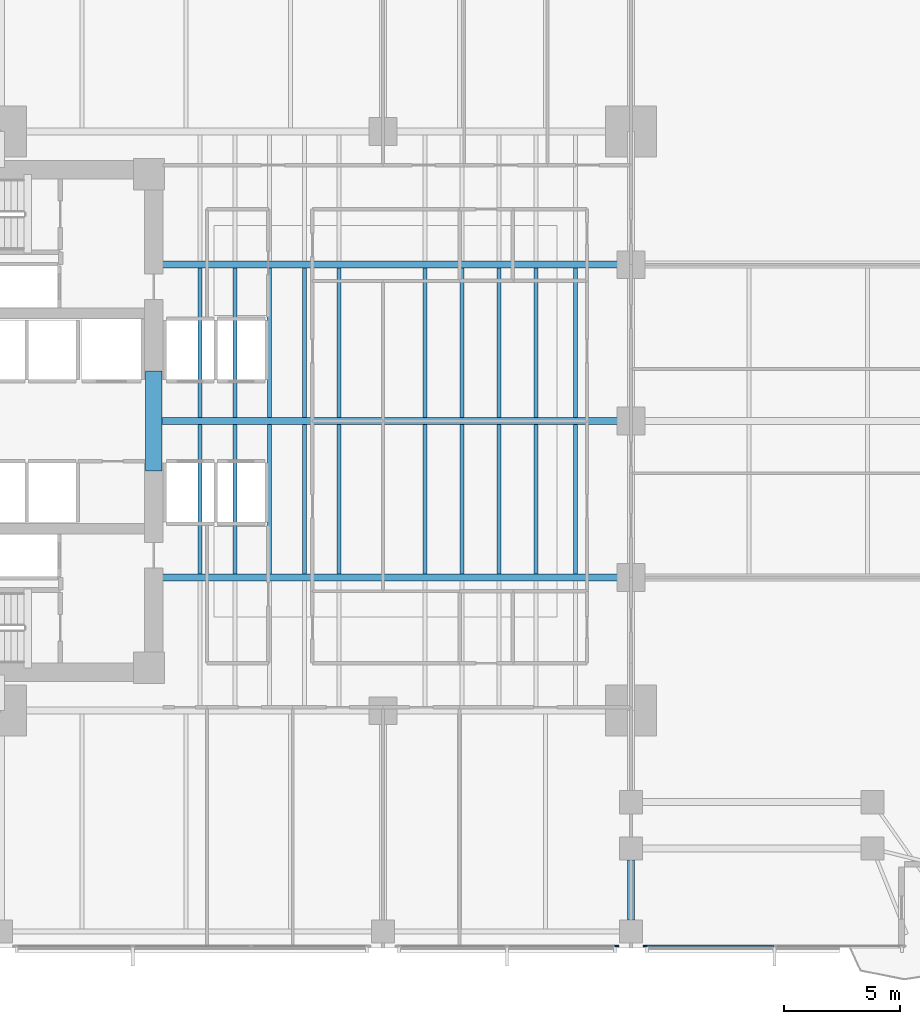
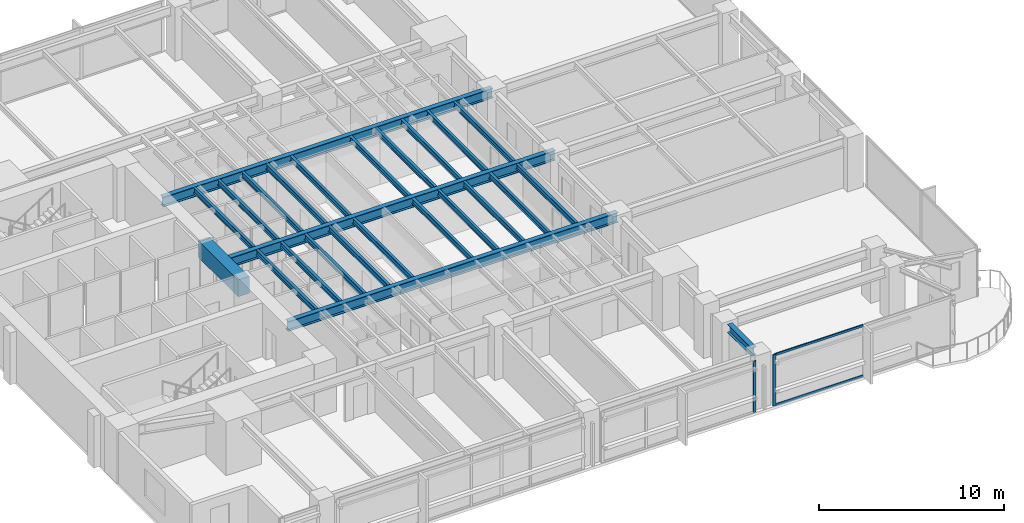
# One storey, part 3 of 16: 25 beams, 4 members, 2 elements without a shape of their own.
"""IFC4 building model written with IfcOpenShell, lengths in metres."""

from ifc_helpers import new_model, si_unit, direction, frame, origin, origin_2d, place, context, subcontext, project, spatial, rectangle, i_section, extrude, material, layer, layer_set, material_profile, profile_set, type_object, element, aggregate, save


model = new_model("IFC4")

# Units and contexts
model_context = context("Model", 3, precision=1e-05, world=origin(), true_north=direction((0.0, 1.0)))
body_context = subcontext(model_context, "Body", "Model", "MODEL_VIEW")
ifc_project = project(units=[si_unit("LENGTHUNIT", "METRE"), si_unit("AREAUNIT", "SQUARE_METRE"), si_unit("VOLUMEUNIT", "CUBIC_METRE"), si_unit("PLANEANGLEUNIT", "RADIAN"), si_unit("MASSUNIT", "GRAM", prefix="KILO")], contexts=[model_context])

# Site, building, storey
site_placement = place(None, origin())
site = spatial("IfcSite", under=ifc_project, at=site_placement, CompositionType="ELEMENT")
building_placement = place(site_placement, origin())
building = spatial("IfcBuilding", under=site, at=building_placement, Name="Kinhvarn Gate Tower", CompositionType="ELEMENT")
storey_placement = place(building_placement, frame((0.0, 0.0, 82.39990234375)))
storey = spatial("IfcBuildingStorey", under=building, at=storey_placement, Name="L21", CompositionType="ELEMENT", Elevation=82.39990234375)

# Beam
ifc_material_1 = material(Name="Concrete C70/85", Category="concrete")
ifc_material_profile_1 = material_profile(ifc_material_1, rectangle(XDim=0.699951171875, YDim=1.10009765625, at=origin_2d()), Name="RC 700x1100")
ifc_profile_set_1 = profile_set([ifc_material_profile_1], Name="Concrete C70/85")
beam_type_1 = type_object("IfcBeamType", Name="BM-CB-1100", PredefinedType="LINTEL", material=ifc_profile_set_1)
beam_1_placement = place(storey_placement, frame((17.60009765625, 23.10009765625, 2.820068359375), z_axis=(0.0, 1.0, 0.0), x_axis=(-1.0, 0.0, 0.0)))
element("IfcBeam", 1, at=beam_1_placement, inside=storey, type_object=beam_type_1, Name="Core East Portal Coupling Beam L21", PredefinedType="LINTEL", context=body_context, shape_type="SweptSolid", body=[
    extrude(rectangle(XDim=0.699951171875, YDim=1.10009765625, at=origin_2d()), origin(), (0.0, 0.0, 1.0), 4.2998046875),
])

# Curtain wall, member
ifc_material_2 = material(Name="Anodised aluminium AW-6063", Category="aluminium")
ifc_layer = layer(ifc_material_2, 0.179931640625)
ifc_layer_set = layer_set([ifc_layer], Name="Anodised aluminium AW-6063")
curtain_wall_type = type_object("IfcCurtainWallType", Name="CW-SYS-2", PredefinedType="NOTDEFINED", material=ifc_layer_set)
curtain_wall_1_placement = place(storey_placement, origin())
curtain_wall_1 = element("IfcCurtainWall", 2, at=curtain_wall_1_placement, inside=storey, type_object=curtain_wall_type, Name="Curtain Wall CW2 (L21)", PredefinedType="NOTDEFINED")
ifc_material_profile_2 = material_profile(ifc_material_2, rectangle(XDim=0.070068359375, YDim=0.179931640625, at=origin_2d()), Name="ALU 70x180")
ifc_profile_set_2 = profile_set([ifc_material_profile_2], Name="Anodised aluminium AW-6063")
member_type_1 = type_object("IfcMemberType", Name="CW-MUL-180", PredefinedType="MULLION", material=ifc_profile_set_2)
member_1_placement = place(storey_placement, frame((37.5849609375, 2.590087890625, 0.0), z_axis=(0.0, 0.0, 1.0), x_axis=(0.0, 1.0, 0.0)))
member_1 = element("IfcMember", 3, at=member_1_placement, type_object=member_type_1, Name="CW2 mullion 3", PredefinedType="MULLION", context=body_context, shape_type="SweptSolid", body=[
    extrude(rectangle(XDim=0.070068359375, YDim=0.179931640625, at=origin_2d()), origin(), (0.0, 0.0, 1.0), 3.3701171875),
])
aggregate(curtain_wall_1, [member_1])

# Curtain wall, members
curtain_wall_2_placement = place(storey_placement, origin())
curtain_wall_2 = element("IfcCurtainWall", 4, at=curtain_wall_2_placement, inside=storey, type_object=curtain_wall_type, Name="Curtain Wall CW2 (L21)", PredefinedType="NOTDEFINED")
member_2_placement = place(storey_placement, frame((38.81494140625, 2.590087890625, 0.0), z_axis=(0.0, 0.0, 1.0), x_axis=(0.0, 1.0, 0.0)))
member_2 = element("IfcMember", 5, at=member_2_placement, type_object=member_type_1, Name="CW2 mullion 1", PredefinedType="MULLION", context=body_context, shape_type="SweptSolid", body=[
    extrude(rectangle(XDim=0.070068359375, YDim=0.179931640625, at=origin_2d()), origin(), (0.0, 0.0, 1.0), 3.3701171875),
])
ifc_material_profile_3 = material_profile(ifc_material_2, rectangle(XDim=0.070068359375, YDim=0.139892578125, at=origin_2d()), Name="ALU 70x140")
ifc_profile_set_3 = profile_set([ifc_material_profile_3], Name="Anodised aluminium AW-6063")
member_type_2 = type_object("IfcMemberType", Name="CW-TRN-140", PredefinedType="USERDEFINED", material=ifc_profile_set_3)
member_3_placement = place(storey_placement, frame((38.85009765625, 2.590087890625, 0.03515625), z_axis=(1.0, 0.0, 0.0), x_axis=(0.0, 1.0, 0.0)))
member_3 = element("IfcMember", 6, at=member_3_placement, type_object=member_type_2, Name="CW2 transom 1.1", ObjectType="TRANSOM", PredefinedType="USERDEFINED", context=body_context, shape_type="SweptSolid", body=[
    extrude(rectangle(XDim=0.070068359375, YDim=0.139892578125, at=origin_2d()), origin(), (0.0, 0.0, 1.0), 5.5048828125),
])
member_4_placement = place(storey_placement, frame((38.85009765625, 2.590087890625, 3.335205078125), z_axis=(1.0, 0.0, 0.0), x_axis=(0.0, 1.0, 0.0)))
member_4 = element("IfcMember", 7, at=member_4_placement, type_object=member_type_2, Name="CW2 transom 1.2", ObjectType="TRANSOM", PredefinedType="USERDEFINED", context=body_context, shape_type="SweptSolid", body=[
    extrude(rectangle(XDim=0.070068359375, YDim=0.139892578125, at=origin_2d()), origin(), (0.0, 0.0, 1.0), 5.5048828125),
])
aggregate(curtain_wall_2, [member_2, member_3, member_4])

# Beams
ifc_material_3 = material(Name="Steel S355", Category="steel")
ifc_material_profile_4 = material_profile(ifc_material_3, i_section(OverallWidth=0.300048828125, OverallDepth=0.550048828125, WebThickness=0.014892578125, FlangeThickness=0.029052734375, at=origin_2d()), Name="HEB 550")
ifc_profile_set_4 = profile_set([ifc_material_profile_4], Name="Steel S355")
beam_type_2 = type_object("IfcBeamType", Name="STL-HEB550", PredefinedType="BEAM", material=ifc_profile_set_4)
beam_2_placement = place(storey_placement, frame((38.199951171875, 3.705078125, 3.09521484375), z_axis=(0.0, 1.0, 0.0), x_axis=(-1.0, 0.0, 0.0)))
element("IfcBeam", 8, at=beam_2_placement, inside=storey, type_object=beam_type_2, Name="Floor Beam PG-15 (L21 MCE-S-A0)", PredefinedType="BEAM", context=body_context, shape_type="SweptSolid", body=[
    extrude(i_section(OverallWidth=0.300048828125, OverallDepth=0.550048828125, WebThickness=0.014892578125, FlangeThickness=0.029052734375, at=origin_2d()), origin(), (0.0, 0.0, 1.0), 2.60986328125),
])
ifc_material_profile_5 = material_profile(ifc_material_3, i_section(OverallWidth=0.300048828125, OverallDepth=0.64990234375, WebThickness=0.01611328125, FlangeThickness=0.031005859375, at=origin_2d()), Name="HEB 650")
ifc_profile_set_5 = profile_set([ifc_material_profile_5], Name="Steel S355")
beam_type_3 = type_object("IfcBeamType", Name="STL-HEB650", PredefinedType="BEAM", material=ifc_profile_set_5)
beam_3_placement = place(storey_placement, frame((17.64990234375, 18.5, 3.045166015625), z_axis=(1.0, 0.0, 0.0), x_axis=(0.0, 1.0, 0.0)))
element("IfcBeam", 9, at=beam_3_placement, inside=storey, type_object=beam_type_3, Name="Floor Beam PG-17 (L21 EW1-Y18)", PredefinedType="BEAM", context=body_context, shape_type="SweptSolid", body=[
    extrude(i_section(OverallWidth=0.300048828125, OverallDepth=0.64990234375, WebThickness=0.01611328125, FlangeThickness=0.031005859375, at=origin_2d()), origin(), (0.0, 0.0, 1.0), 20.550048828125),
])
beam_4_placement = place(storey_placement, frame((17.949951171875, 25.25, 3.045166015625), z_axis=(1.0, 0.0, 0.0), x_axis=(0.0, 1.0, 0.0)))
element("IfcBeam", 10, at=beam_4_placement, inside=storey, type_object=beam_type_3, Name="Floor Beam PG-17 (L21 EW1-Y25)", PredefinedType="BEAM", context=body_context, shape_type="SweptSolid", body=[
    extrude(i_section(OverallWidth=0.300048828125, OverallDepth=0.64990234375, WebThickness=0.01611328125, FlangeThickness=0.031005859375, at=origin_2d()), origin(), (0.0, 0.0, 1.0), 20.25),
])
beam_5_placement = place(storey_placement, frame((17.64990234375, 32.0, 3.045166015625), z_axis=(1.0, 0.0, 0.0), x_axis=(0.0, 1.0, 0.0)))
element("IfcBeam", 11, at=beam_5_placement, inside=storey, type_object=beam_type_3, Name="Floor Beam PG-17 (L21 EW1-Y32)", PredefinedType="BEAM", context=body_context, shape_type="SweptSolid", body=[
    extrude(i_section(OverallWidth=0.300048828125, OverallDepth=0.64990234375, WebThickness=0.01611328125, FlangeThickness=0.031005859375, at=origin_2d()), origin(), (0.0, 0.0, 1.0), 20.550048828125),
])
ifc_material_profile_6 = material_profile(ifc_material_3, i_section(OverallWidth=0.169921875, OverallDepth=0.360107421875, WebThickness=0.008056640625, FlangeThickness=0.0126953125, at=origin_2d()), Name="IPE 360")
ifc_profile_set_6 = profile_set([ifc_material_profile_6], Name="Steel S355")
beam_type_4 = type_object("IfcBeamType", Name="STL-IPE360", PredefinedType="JOIST", material=ifc_profile_set_6)
for number, where, z_axis, x_axis, name in (
    (12, (19.60009765625, 18.64990234375, 3.190185546875), (0.0, 1.0, 0.0), (-1.0, 0.0, 0.0), "Floor Joist SB-04 (L21 JC-X196-1)"),
    (13, (19.60009765625, 25.39990234375, 3.190185546875), (0.0, 1.0, 0.0), (-1.0, 0.0, 0.0), "Floor Joist SB-04 (L21 JC-X196-2)"),
    (14, (21.10009765625, 18.64990234375, 3.190185546875), (0.0, 1.0, 0.0), (-1.0, 0.0, 0.0), "Floor Joist SB-04 (L21 JC-X211-1)"),
    (15, (21.10009765625, 25.39990234375, 3.190185546875), (0.0, 1.0, 0.0), (-1.0, 0.0, 0.0), "Floor Joist SB-04 (L21 JC-X211-2)"),
    (16, (22.60009765625, 18.64990234375, 3.190185546875), (0.0, 1.0, 0.0), (-1.0, 0.0, 0.0), "Floor Joist SB-04 (L21 JC-X226-1)"),
    (17, (22.60009765625, 25.39990234375, 3.190185546875), (0.0, 1.0, 0.0), (-1.0, 0.0, 0.0), "Floor Joist SB-04 (L21 JC-X226-2)"),
    (18, (24.10009765625, 18.64990234375, 3.190185546875), (0.0, 1.0, 0.0), (-1.0, 0.0, 0.0), "Floor Joist SB-04 (L21 JC-X241-1)"),
    (19, (24.10009765625, 25.39990234375, 3.190185546875), (0.0, 1.0, 0.0), (-1.0, 0.0, 0.0), "Floor Joist SB-04 (L21 JC-X241-2)"),
    (20, (25.60009765625, 18.64990234375, 3.190185546875), (0.0, 1.0, 0.0), (-1.0, 0.0, 0.0), "Floor Joist SB-04 (L21 JC-X256-1)"),
    (21, (25.60009765625, 25.39990234375, 3.190185546875), (0.0, 1.0, 0.0), (-1.0, 0.0, 0.0), "Floor Joist SB-04 (L21 JC-X256-2)"),
    (22, (29.300048828125, 18.64990234375, 3.190185546875), (0.0, 1.0, 0.0), (-1.0, 0.0, 0.0), "Floor Joist SB-04 (L21 JC-X293-1)"),
    (23, (29.300048828125, 25.39990234375, 3.190185546875), (0.0, 1.0, 0.0), (-1.0, 0.0, 0.0), "Floor Joist SB-04 (L21 JC-X293-2)"),
    (24, (30.89990234375, 18.64990234375, 3.190185546875), (0.0, 1.0, 0.0), (-1.0, 0.0, 0.0), "Floor Joist SB-04 (L21 JC-X309-1)"),
    (25, (30.89990234375, 25.39990234375, 3.190185546875), (0.0, 1.0, 0.0), (-1.0, 0.0, 0.0), "Floor Joist SB-04 (L21 JC-X309-2)"),
    (26, (32.5, 18.64990234375, 3.190185546875), (0.0, 1.0, 0.0), (-1.0, 0.0, 0.0), "Floor Joist SB-04 (L21 JC-X325-1)"),
    (27, (32.5, 25.39990234375, 3.190185546875), (0.0, 1.0, 0.0), (-1.0, 0.0, 0.0), "Floor Joist SB-04 (L21 JC-X325-2)"),
    (28, (34.10009765625, 18.64990234375, 3.190185546875), (0.0, 1.0, 0.0), (-1.0, 0.0, 0.0), "Floor Joist SB-04 (L21 JC-X341-1)"),
    (29, (34.10009765625, 25.39990234375, 3.190185546875), (0.0, 1.0, 0.0), (-1.0, 0.0, 0.0), "Floor Joist SB-04 (L21 JC-X341-2)"),
    (30, (35.800048828125, 18.64990234375, 3.190185546875), (0.0, 1.0, 0.0), (-1.0, 0.0, 0.0), "Floor Joist SB-04 (L21 JC-X358-1)"),
    (31, (35.800048828125, 25.39990234375, 3.190185546875), (0.0, 1.0, 0.0), (-1.0, 0.0, 0.0), "Floor Joist SB-04 (L21 JC-X358-2)"),
):
    element("IfcBeam", number, at=place(storey_placement, frame(where, z_axis=z_axis, x_axis=x_axis)), inside=storey, type_object=beam_type_4, Name=name, PredefinedType="JOIST", context=body_context, shape_type="SweptSolid", body=[
        extrude(i_section(OverallWidth=0.169921875, OverallDepth=0.360107421875, WebThickness=0.008056640625, FlangeThickness=0.0126953125, at=origin_2d()), origin(), (0.0, 0.0, 1.0), 6.4501953125),
    ])

save(model, "model.ifc")
